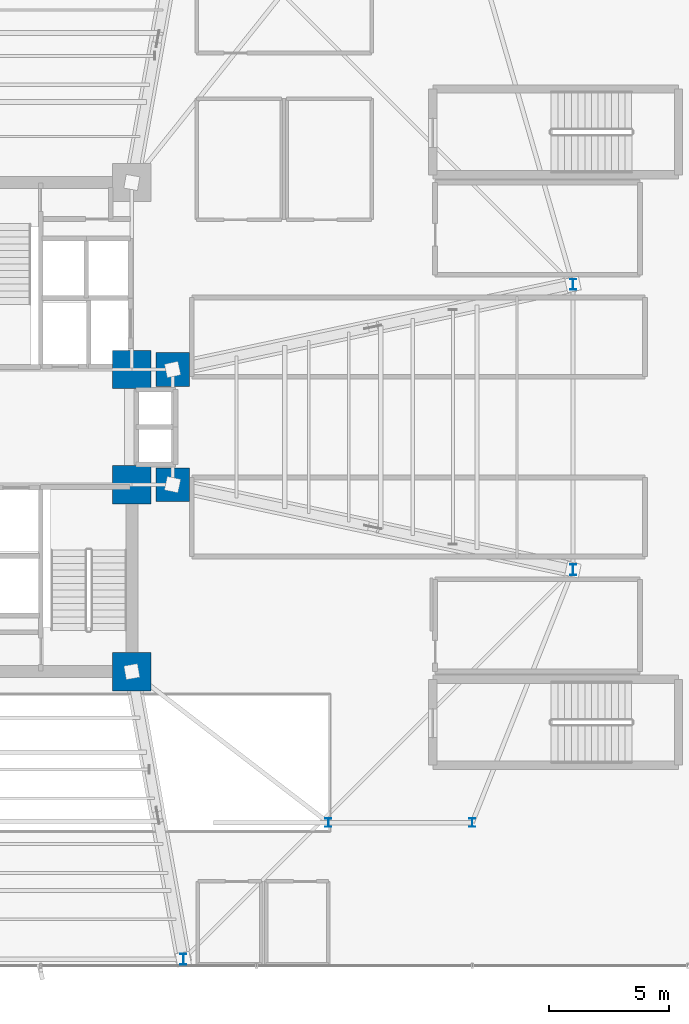
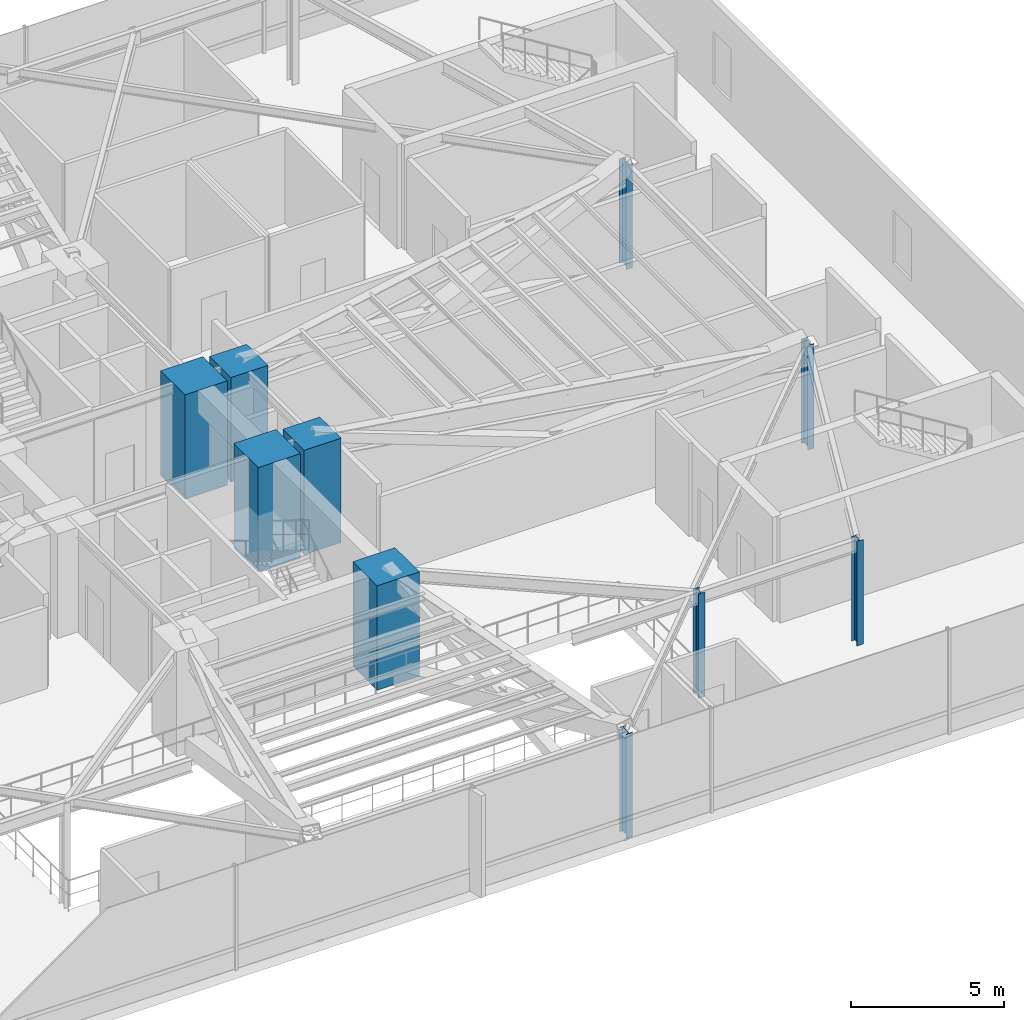
# One storey, part 2 of 32: 10 columns.
"""IFC4 building model written with IfcOpenShell, lengths in metres."""

import ifcopenshell
import ifcopenshell.guid

model = None  # the IFC model being written
_history = None  # IfcOwnerHistory: only IFC2X3 demands one
_inside = {}  # id of a spatial element -> (the spatial element, [elements in it])
_under = {}  # id of a project, library or spatial element -> (it, [spatial elements below it])
_declared = {}  # id of a project -> (the project, [libraries it declares])
_typed = {}  # id of a type object -> (the type object, [elements of that type])
_made_of = {}  # id of a material, layer set ... -> (it, [elements and type objects made of it])


def new_model(schema):
    """Start an empty IFC model of exactly this schema.

    Asked for "IFC4X3", IfcOpenShell would pick the latest addendum, in which some entities
    have other attributes; the version numbers below select the first issue.
    IFC2X3 requires an IfcOwnerHistory on every rooted entity: one is made here for all.
    """
    global model, _history
    if schema == "IFC4X3":
        model = ifcopenshell.file(schema_version=(4, 3, 0, 0))
    else:
        model = ifcopenshell.file(schema=schema)
    _inside.clear()
    _under.clear()
    _declared.clear()
    _typed.clear()
    _made_of.clear()
    _history = None
    if model.schema == "IFC2X3":
        org = make("IfcOrganization", Name="unknown")
        user = make(
            "IfcPersonAndOrganization",
            ThePerson=make("IfcPerson", FamilyName="unknown"),
            TheOrganization=org,
        )
        app = make(
            "IfcApplication",
            ApplicationDeveloper=org,
            Version="unknown",
            ApplicationFullName="unknown",
            ApplicationIdentifier="unknown",
        )
        _history = make(
            "IfcOwnerHistory",
            OwningUser=user,
            OwningApplication=app,
            ChangeAction="ADDED",
            CreationDate=0,
        )
    return model


def make(cls, **values):
    """One entity of the class cls with the attributes given. An attribute that is None is left unset."""
    return model.create_entity(
        cls, **{name: value for name, value in values.items() if value is not None}
    )


def rooted(cls, **values):
    """An entity with a GlobalId (a new one), such as an element, a storey or a relation."""
    return make(cls, GlobalId=ifcopenshell.guid.new(), OwnerHistory=_history, **values)


def si_unit(unit_type, name, prefix=None):
    """IfcSIUnit, for example si_unit("LENGTHUNIT", "METRE", prefix="MILLI")."""
    return make("IfcSIUnit", UnitType=unit_type, Prefix=prefix, Name=name)


def assignment(units):
    """IfcUnitAssignment: the units of a project."""
    return None if units is None else make("IfcUnitAssignment", Units=units)


def point(xyz):
    """IfcCartesianPoint."""
    return None if xyz is None else make("IfcCartesianPoint", Coordinates=xyz)


def direction(xyz):
    """IfcDirection."""
    return None if xyz is None else make("IfcDirection", DirectionRatios=xyz)


def frame(location, z_axis=None, x_axis=None):
    """IfcAxis2Placement3D, a coordinate frame: its origin and axes. An axis left out is left unset."""
    return make(
        "IfcAxis2Placement3D",
        Location=point(location),
        Axis=direction(z_axis),
        RefDirection=direction(x_axis),
    )


def frame_2d(location, x_axis=None):
    """IfcAxis2Placement2D, a coordinate frame in the plane: its origin and x axis."""
    return make(
        "IfcAxis2Placement2D", Location=point(location), RefDirection=direction(x_axis)
    )


def origin():
    """The frame at (0, 0, 0) with its axes left unset."""
    return frame((0.0, 0.0, 0.0))


def origin_2d():
    """The frame at (0, 0) in the plane with its x axis left unset."""
    return frame_2d((0.0, 0.0))


def place(relative_to, where):
    """IfcLocalPlacement: puts the frame where relative to a parent placement (None: the world)."""
    return make(
        "IfcLocalPlacement", PlacementRelTo=relative_to, RelativePlacement=where
    )


def context(
    kind, dimensions, precision=None, world=None, true_north=None, identifier=None
):
    """IfcGeometricRepresentationContext, for example the 3D "Model" context."""
    return make(
        "IfcGeometricRepresentationContext",
        ContextIdentifier=identifier,
        ContextType=kind,
        CoordinateSpaceDimension=dimensions,
        Precision=precision,
        WorldCoordinateSystem=world,
        TrueNorth=true_north,
    )


def subcontext(parent, identifier, kind, view, scale=None):
    """IfcGeometricRepresentationSubContext, for example "Body" below "Model"."""
    return make(
        "IfcGeometricRepresentationSubContext",
        ContextIdentifier=identifier,
        ContextType=kind,
        ParentContext=parent,
        TargetScale=scale,
        TargetView=view,
    )


def project(units=None, contexts=None):
    """IfcProject with its units and contexts."""
    return rooted(
        "IfcProject",
        Name="project",
        RepresentationContexts=contexts,
        UnitsInContext=assignment(units),
    )


def spatial(cls, under=None, at=None, **own):
    """A site, building, storey or space (cls), placed at a placement, below another one or the project."""
    s = rooted(cls, ObjectPlacement=at, **own)
    if under is not None:
        _under.setdefault(under.id(), (under, []))[1].append(s)
    return s


def profile(cls, at=None, kind="AREA", **sizes):
    """A parametric profile (cls). Its sizes go by their IFC names, for example OverallWidth=200.0."""
    return make(cls, ProfileType=kind, Position=at, **sizes)


def rectangle(**sizes):
    """IfcRectangleProfileDef."""
    return profile("IfcRectangleProfileDef", **sizes)


def i_section(**sizes):
    """IfcIShapeProfileDef."""
    return profile("IfcIShapeProfileDef", **sizes)


def extrude(swept, where, along, depth):
    """IfcExtrudedAreaSolid: the profile swept, set in the frame where, extruded along a direction by depth."""
    return make(
        "IfcExtrudedAreaSolid",
        SweptArea=swept,
        Position=where,
        ExtrudedDirection=direction(along),
        Depth=depth,
    )


def shape(context_of_items, identifier, shape_type, items):
    """IfcShapeRepresentation: the items that make up one representation, for example the "Body"."""
    return make(
        "IfcShapeRepresentation",
        ContextOfItems=context_of_items,
        RepresentationIdentifier=identifier,
        RepresentationType=shape_type,
        Items=items,
    )


def source(mapping_origin, context_of_items, identifier, shape_type, items):
    """IfcRepresentationMap: a shape defined once, which mapped items show again and again."""
    return make(
        "IfcRepresentationMap",
        MappingOrigin=mapping_origin,
        MappedRepresentation=shape(context_of_items, identifier, shape_type, items),
    )


def transform(
    local_origin,
    x_axis=None,
    y_axis=None,
    z_axis=None,
    scale=None,
    scale2=None,
    scale3=None,
    uniform=True,
):
    """IfcCartesianTransformationOperator3D, or its non-uniform kind. x_axis, y_axis, z_axis: its Axis1, 2, 3."""
    if uniform:
        return make(
            "IfcCartesianTransformationOperator3D",
            Axis1=direction(x_axis),
            Axis2=direction(y_axis),
            LocalOrigin=point(local_origin),
            Scale=scale,
            Axis3=direction(z_axis),
        )
    return make(
        "IfcCartesianTransformationOperator3DnonUniform",
        Axis1=direction(x_axis),
        Axis2=direction(y_axis),
        LocalOrigin=point(local_origin),
        Scale=scale,
        Axis3=direction(z_axis),
        Scale2=scale2,
        Scale3=scale3,
    )


def mapped(mapping_source, mapping_target):
    """IfcMappedItem: shows the shape of a source again, moved by a transform."""
    return make(
        "IfcMappedItem", MappingSource=mapping_source, MappingTarget=mapping_target
    )


def material(Name=None, Category=None):
    """IfcMaterial."""
    return make("IfcMaterial", Name=Name, Category=Category)


def material_profile(
    of_material, cross_section, Name=None, Category=None, Priority=None
):
    """IfcMaterialProfile: a cross section and its material."""
    return make(
        "IfcMaterialProfile",
        Name=Name,
        Material=of_material,
        Profile=cross_section,
        Priority=Priority,
        Category=Category,
    )


def profile_set(profiles, Name=None, composite=None):
    """IfcMaterialProfileSet."""
    return make(
        "IfcMaterialProfileSet",
        Name=Name,
        MaterialProfiles=profiles,
        CompositeProfile=composite,
    )


def made_of(thing, what):
    """Note that an element or type object is made of a material, layer set ...; save() writes the relation."""
    if what is not None:
        _made_of.setdefault(what.id(), (what, []))[1].append(thing)
    return thing


def type_object(cls, material=None, **own):
    """A type object (cls), such as IfcWallType, which elements share."""
    return made_of(rooted(cls, **own), material)


def element(
    cls,
    number,
    at=None,
    inside=None,
    cuts=None,
    type_object=None,
    material=None,
    context=None,
    identifier="Body",
    shape_type=None,
    held_by="IfcProductDefinitionShape",
    body=None,
    shapes=None,
    **own,
):
    """One element of the class cls, such as IfcWall. Its Tag is "e" and its number.

    at: its placement. inside: the storey or other place that contains it. cuts: it is an
    opening in that element (IfcRelVoidsElement). A single representation is given by context,
    identifier, shape_type and body (its items); several are given by shapes. held_by: the class
    of the entity that holds the representations. save() writes the other relations.
    """
    e = rooted(cls, Tag="e%d" % number, ObjectPlacement=at, **own)
    if body is not None:
        shapes = [shape(context, identifier, shape_type, body)]
    if shapes is not None:
        e.Representation = make(held_by, Representations=shapes)
    if inside is not None:
        _inside.setdefault(inside.id(), (inside, []))[1].append(e)
    if cuts is not None:
        rooted(
            "IfcRelVoidsElement", RelatingBuildingElement=cuts, RelatedOpeningElement=e
        )
    if type_object is not None:
        _typed.setdefault(type_object.id(), (type_object, []))[1].append(e)
    return made_of(e, material)


def aggregate(whole, parts):
    """IfcRelAggregates: a whole, such as a stair, and the parts it consists of."""
    return rooted("IfcRelAggregates", RelatingObject=whole, RelatedObjects=parts)


def save(model, path):
    """Write the relations noted so far, then the file.

    IfcRelAggregates (storeys below a building ...), IfcRelContainedInSpatialStructure (elements
    in a storey), IfcRelDefinesByType, IfcRelAssociatesMaterial and IfcRelDeclares: one each for
    every whole, place, type object, material and project.
    """
    for whole, parts in _under.values():
        aggregate(whole, parts)
    for where, things in _inside.values():
        rooted(
            "IfcRelContainedInSpatialStructure",
            RelatedElements=things,
            RelatingStructure=where,
        )
    for kind, things in _typed.values():
        rooted("IfcRelDefinesByType", RelatedObjects=things, RelatingType=kind)
    for what, things in _made_of.values():
        rooted("IfcRelAssociatesMaterial", RelatedObjects=things, RelatingMaterial=what)
    for by, libraries in _declared.values():
        rooted("IfcRelDeclares", RelatingContext=by, RelatedDefinitions=libraries)
    model.write(path)


model = new_model("IFC4")

# Units and contexts
model_context = context("Model", 3, precision=1e-05, world=origin(), true_north=direction((0.0, 1.0)))
body_context = subcontext(model_context, "Body", "Model", "MODEL_VIEW")
ifc_project = project(units=[si_unit("LENGTHUNIT", "METRE"), si_unit("AREAUNIT", "SQUARE_METRE"), si_unit("VOLUMEUNIT", "CUBIC_METRE"), si_unit("PLANEANGLEUNIT", "RADIAN"), si_unit("MASSUNIT", "GRAM", prefix="KILO")], contexts=[model_context])

# Site, building, storey
site_placement = place(None, origin())
site = spatial("IfcSite", under=ifc_project, at=site_placement, CompositionType="ELEMENT")
building_placement = place(site_placement, origin())
building = spatial("IfcBuilding", under=site, at=building_placement, Name="Sahyath Konkavel Grand Hotel", CompositionType="ELEMENT")
storey_placement = place(building_placement, frame((0.0, 0.0, 14.10009765625)))
storey = spatial("IfcBuildingStorey", under=building, at=storey_placement, Name="L03", CompositionType="ELEMENT", Elevation=14.10009765625)

# Columns
ifc_material_1 = material(Name="Concrete C70/85", Category="concrete")
ifc_material_profile_1 = material_profile(ifc_material_1, rectangle(XDim=1.60009765625, YDim=1.60009765625, at=origin_2d()), Name="RC 1600x1600")
ifc_profile_set_1 = profile_set([ifc_material_profile_1], Name="Concrete C70/85")
column_type_1 = type_object("IfcColumnType", Name="COL-RC1600", PredefinedType="COLUMN", material=ifc_profile_set_1)
shared_shape_1 = source(origin(), body_context, "Body", "SweptSolid", [
    extrude(rectangle(XDim=1.60009765625, YDim=1.60009765625, at=origin_2d()), origin(), (0.0, 0.0, 1.0), 4.179931640625),
])
for number, where, z_axis, x_axis, name in (
    (1, (3.800048828125, 2.39990234375, 0.0), (0.0, 0.0, 1.0), (1.0, 0.0, 0.0), "L03 Core Boundary Column NC-SE"),
    (2, (3.800048828125, -2.39990234375, 0.0), (0.0, 0.0, 1.0), (1.0, 0.0, 0.0), "L03 Core Boundary Column SC-NE"),
    (3, (3.800048828125, -10.199951171875, 0.0), (0.0, 0.0, 1.0), (1.0, 0.0, 0.0), "L03 Core Boundary Column SC-SE"),
):
    element("IfcColumn", number, at=place(storey_placement, frame(where, z_axis=z_axis, x_axis=x_axis)), inside=storey, type_object=column_type_1, Name=name, PredefinedType="COLUMN", context=body_context, shape_type="MappedRepresentation", body=[
        mapped(shared_shape_1, transform((0.0, 0.0, 0.0), scale=1.0)),
    ])
ifc_material_profile_2 = material_profile(ifc_material_1, rectangle(XDim=1.39990234375, YDim=1.39990234375, at=origin_2d()), Name="RC 1400x1400")
ifc_profile_set_2 = profile_set([ifc_material_profile_2], Name="Concrete C70/85")
column_type_2 = type_object("IfcColumnType", Name="COL-RC1400", PredefinedType="COLUMN", material=ifc_profile_set_2)
shared_shape_2 = source(origin(), body_context, "Body", "SweptSolid", [
    extrude(rectangle(XDim=1.39990234375, YDim=1.39990234375, at=origin_2d()), origin(), (0.0, 0.0, 1.0), 4.179931640625),
])
for number, where, z_axis, x_axis, name in (
    (4, (5.5, 2.39990234375, 0.0), (0.0, 0.0, 1.0), (1.0, 0.0, 0.0), "L03 Central Spine Column HB-NE"),
    (5, (5.5, -2.39990234375, 0.0), (0.0, 0.0, 1.0), (1.0, 0.0, 0.0), "L03 Central Spine Column HB-SE"),
):
    element("IfcColumn", number, at=place(storey_placement, frame(where, z_axis=z_axis, x_axis=x_axis)), inside=storey, type_object=column_type_2, Name=name, PredefinedType="COLUMN", context=body_context, shape_type="MappedRepresentation", body=[
        mapped(shared_shape_2, transform((0.0, 0.0, 0.0), scale=1.0)),
    ])
ifc_material_2 = material(Name="Steel E450", Category="steel")
ifc_material_profile_3 = material_profile(ifc_material_2, i_section(OverallWidth=0.25, OverallDepth=0.449951171875, WebThickness=0.013671875, FlangeThickness=0.013671875, FilletRadius=0.014892578125, at=origin_2d()), Name="ISHB 450")
ifc_profile_set_3 = profile_set([ifc_material_profile_3], Name="Steel E450")
column_type_3 = type_object("IfcColumnType", Name="COL-ISHB450", PredefinedType="COLUMN", material=ifc_profile_set_3)
shared_shape_3 = source(origin(), body_context, "Body", "SweptSolid", [
    extrude(i_section(OverallWidth=0.25, OverallDepth=0.449951171875, WebThickness=0.013671875, FlangeThickness=0.013671875, FilletRadius=0.014892578125, at=origin_2d()), origin(), (0.0, 0.0, 1.0), 4.179931640625),
])
for number, where, z_axis, x_axis, name in (
    (6, (22.199951171875, -5.949951171875, 0.0), (0.0, 0.0, 1.0), (1.0, 0.0, 0.0), "L03 Cruciform Wing Column WC-EA"),
    (7, (22.199951171875, 5.949951171875, 0.0), (0.0, 0.0, 1.0), (1.0, 0.0, 0.0), "L03 Cruciform Wing Column WC-EB"),
    (8, (5.949951171875, -22.199951171875, 0.0), (0.0, 0.0, 1.0), (1.0, 0.0, 0.0), "L03 Cruciform Wing Column WC-SB"),
):
    element("IfcColumn", number, at=place(storey_placement, frame(where, z_axis=z_axis, x_axis=x_axis)), inside=storey, type_object=column_type_3, Name=name, PredefinedType="COLUMN", context=body_context, shape_type="MappedRepresentation", body=[
        mapped(shared_shape_3, transform((0.0, 0.0, 0.0), scale=1.0)),
    ])
ifc_material_3 = material(Name="Steel E350", Category="steel")
ifc_material_profile_4 = material_profile(ifc_material_3, i_section(OverallWidth=0.25, OverallDepth=0.35009765625, WebThickness=0.01171875, FlangeThickness=0.01171875, FilletRadius=0.011962890625, at=origin_2d()), Name="ISHB 350")
ifc_profile_set_4 = profile_set([ifc_material_profile_4], Name="Steel E350")
column_type_4 = type_object("IfcColumnType", Name="COL-ISHB350", PredefinedType="COLUMN", material=ifc_profile_set_4)
shared_shape_4 = source(origin(), body_context, "Body", "SweptSolid", [
    extrude(i_section(OverallWidth=0.25, OverallDepth=0.35009765625, WebThickness=0.01171875, FlangeThickness=0.01171875, FilletRadius=0.011962890625, at=origin_2d()), origin(), (0.0, 0.0, 1.0), 4.179931640625),
])
for number, where, z_axis, x_axis, name in (
    (9, (12.0, -16.5, 0.0), (0.0, 0.0, 1.0), (1.0, 0.0, 0.0), "L03 Sandstone Colonnade Pier CL-S3"),
    (10, (18.0, -16.5, 0.0), (0.0, 0.0, 1.0), (1.0, 0.0, 0.0), "L03 Sandstone Colonnade Pier CL-S4"),
):
    element("IfcColumn", number, at=place(storey_placement, frame(where, z_axis=z_axis, x_axis=x_axis)), inside=storey, type_object=column_type_4, Name=name, PredefinedType="COLUMN", context=body_context, shape_type="MappedRepresentation", body=[
        mapped(shared_shape_4, transform((0.0, 0.0, 0.0), scale=1.0)),
    ])

save(model, "model.ifc")
